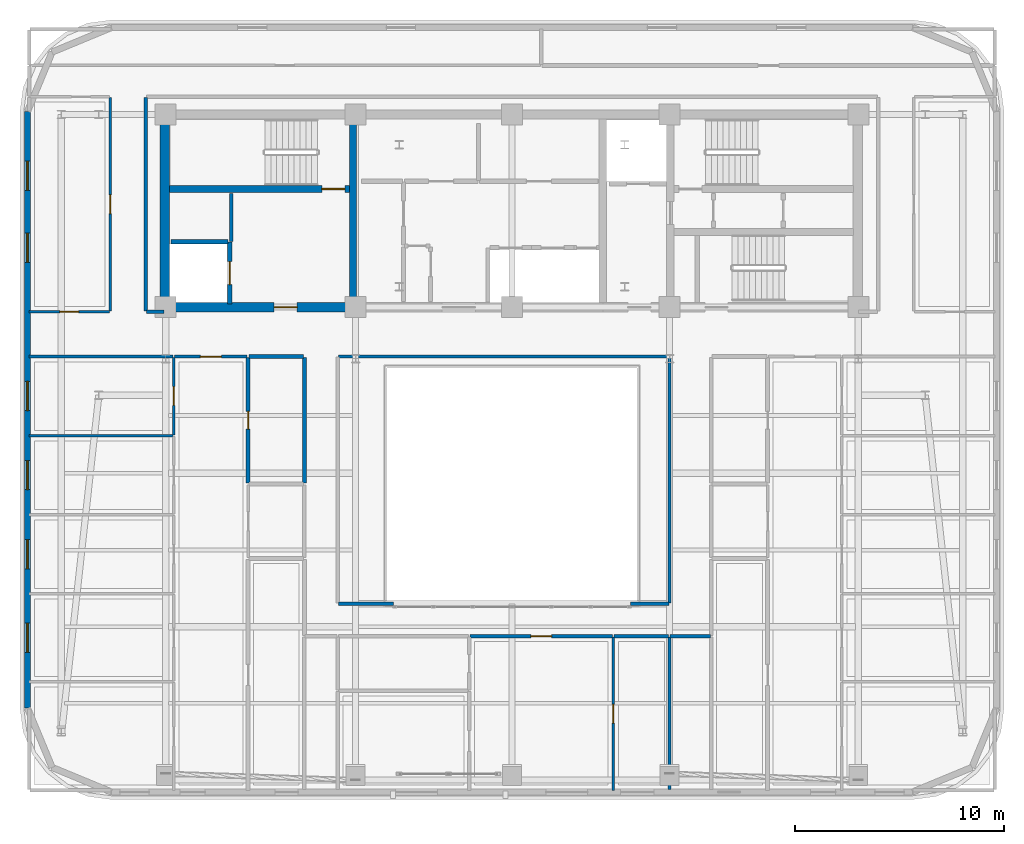
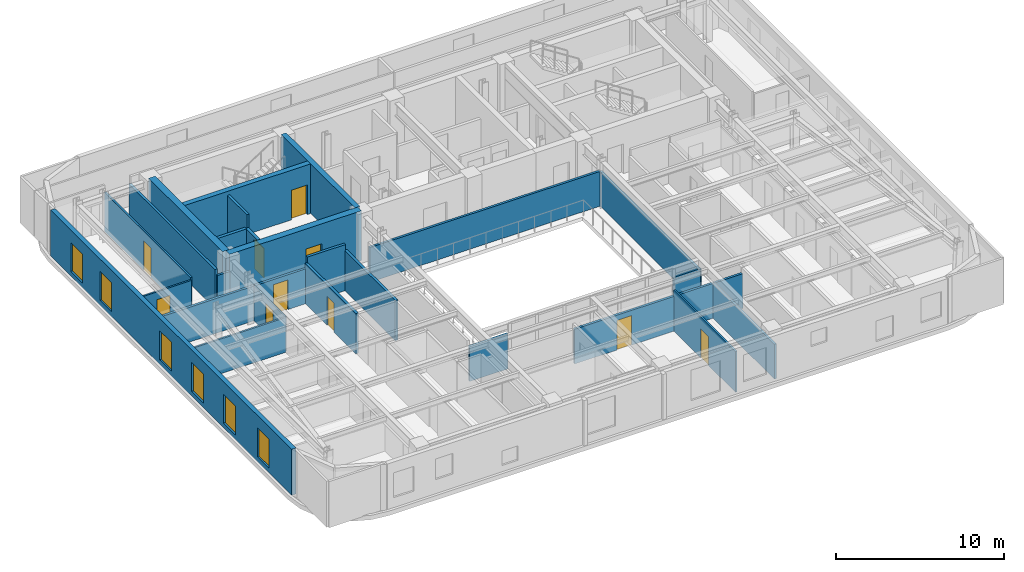
# One storey, part 7 of 14: 28 walls, 10 doors, 6 windows, 16 openings.
"""IFC4 building model written with IfcOpenShell, lengths in metres."""

from ifc_helpers import new_model, si_unit, direction, frame, frame_2d, origin, place, context, subcontext, project, spatial, rectangle, extrude, material, layer, layer_set, type_object, element, fill, save


model = new_model("IFC4")

# Units and contexts
model_context = context("Model", 3, precision=1e-05, world=origin(), true_north=direction((0.0, 1.0)))
body_context = subcontext(model_context, "Body", "Model", "MODEL_VIEW")
ifc_project = project(units=[si_unit("LENGTHUNIT", "METRE"), si_unit("AREAUNIT", "SQUARE_METRE"), si_unit("VOLUMEUNIT", "CUBIC_METRE"), si_unit("PLANEANGLEUNIT", "RADIAN"), si_unit("MASSUNIT", "GRAM", prefix="KILO")], contexts=[model_context])

# Site, building, storey
site_placement = place(None, origin())
site = spatial("IfcSite", under=ifc_project, at=site_placement, CompositionType="ELEMENT")
building_placement = place(site_placement, origin())
building = spatial("IfcBuilding", under=site, at=building_placement, Name="Zarnavel Station Tower", CompositionType="ELEMENT")
storey_placement = place(building_placement, frame((0.0, 0.0, 229.199951171875)))
storey = spatial("IfcBuildingStorey", under=building, at=storey_placement, Name="L62", CompositionType="ELEMENT", Elevation=229.199951171875)

# Wall
ifc_material_1 = material(Name="Concrete C50/60", Category="concrete")
ifc_layer_1 = layer(ifc_material_1, 0.35009765625)
ifc_layer_set_1 = layer_set([ifc_layer_1], Name="CW_350")
wall_type_1 = type_object("IfcWallType", Name="CW_350", PredefinedType="SHEAR", material=ifc_layer_set_1)
wall_1_placement = place(storey_placement, frame((21.179931640625, 28.044921875, 0.0), z_axis=(0.0, 0.0, 1.0), x_axis=(0.0, 1.0, 0.0)))
element("IfcWall", 1, at=wall_1_placement, inside=storey, type_object=wall_type_1, Name="L62 Rear Core Shear Wall DIV-W", PredefinedType="SHEAR", context=body_context, shape_type="SweptSolid", body=[
    extrude(rectangle(XDim=8.780029296875, YDim=0.35009765625, at=frame_2d((4.39013671875, 0.0))), origin(), (0.0, 0.0, 1.0), 3.60009765625),
])

# Wall, opening, door
wall_2_placement = place(storey_placement, frame((21.0048828125, 33.47998046875, 0.0), z_axis=(0.0, 0.0, 1.0), x_axis=(-1.0, 0.0, 0.0)))
wall_2 = element("IfcWall", 2, at=wall_2_placement, inside=storey, type_object=wall_type_1, Name="L62 Rear Core Shear Wall DIV-H1", PredefinedType="SHEAR", context=body_context, shape_type="SweptSolid", body=[
    extrude(rectangle(XDim=8.6298828125, YDim=0.35009765625, at=frame_2d((4.31494140625, 0.0))), origin(), (0.0, 0.0, 1.0), 3.60009765625),
])
opening_1_placement = place(wall_2_placement, frame((0.219970703125, 0.0, 0.0)))
opening_1 = element("IfcOpeningElement", 3, at=opening_1_placement, cuts=wall_2, Name="Opening FD01", PredefinedType="OPENING", context=body_context, shape_type="SweptSolid", body=[
    extrude(rectangle(XDim=1.10009765625, YDim=2.14990234375, at=frame_2d((0.550048828125, 1.074951171875))), frame((0.0, 0.18505859375, 0.0), z_axis=(0.0, -1.0, 0.0), x_axis=(1.0, 0.0, 0.0)), (0.0, 0.0, 1.0), 0.3701171875),
])
ifc_material_2 = material(Name="Painted Galvanised Steel and Hardwood Leaf", Category="steel")
door_type_1 = type_object("IfcDoorType", Name="ID_STAIR_1100", OperationType="NOTDEFINED", PredefinedType="DOOR", material=ifc_material_2)
door_1_placement = place(opening_1_placement, origin())
door_1 = element("IfcDoor", 4, at=door_1_placement, inside=storey, type_object=door_type_1, Name="L62 Stair ST1 Lobby Fire Door", OperationType="SINGLE_SWING_LEFT", OverallHeight=2.14990234375, OverallWidth=1.10009765625, PredefinedType="DOOR", context=body_context, shape_type="SweptSolid", body=[
    extrude(rectangle(XDim=1.10009765625, YDim=2.14990234375, at=frame_2d((0.550048828125, 1.074951171875))), frame((0.0, 0.02490234375, 0.0), z_axis=(0.0, -1.0, 0.0), x_axis=(1.0, 0.0, 0.0)), (0.0, 0.0, 1.0), 0.050048828125),
])
fill(opening_1, door_1)

ifc_material_3 = material(Name="Concrete C50/60", Category="concrete")
ifc_layer_2 = layer(ifc_material_3, 0.449951171875)
ifc_layer_set_2 = layer_set([ifc_layer_2], Name="CW_450")
wall_type_2 = type_object("IfcWallType", Name="CW_450", PredefinedType="SHEAR", material=ifc_layer_set_2)
wall_3_placement = place(storey_placement, frame((21.179931640625, 27.820068359375, 0.0), z_axis=(0.0, 0.0, 1.0), x_axis=(-1.0, 0.0, 0.0)))
wall_3 = element("IfcWall", 5, at=wall_3_placement, inside=storey, type_object=wall_type_2, Name="L62 Rear Core Shear Wall S-W", PredefinedType="SHEAR", context=body_context, shape_type="SweptSolid", body=[
    extrude(rectangle(XDim=9.030029296875, YDim=0.449951171875, at=frame_2d((4.51513671875, 0.0))), origin(), (0.0, 0.0, 1.0), 3.60009765625),
])
opening_2_placement = place(wall_3_placement, frame((2.679931640625, 0.0, 0.0)))
opening_2 = element("IfcOpeningElement", 6, at=opening_2_placement, cuts=wall_3, Name="Opening FD01", PredefinedType="OPENING", context=body_context, shape_type="SweptSolid", body=[
    extrude(rectangle(XDim=1.10009765625, YDim=2.14990234375, at=frame_2d((0.550048828125, 1.074951171875))), frame((0.0, 0.23486328125, 0.0), z_axis=(0.0, -1.0, 0.0), x_axis=(1.0, 0.0, 0.0)), (0.0, 0.0, 1.0), 0.469970703125),
])
door_2_placement = place(opening_2_placement, origin())
door_2 = element("IfcDoor", 7, at=door_2_placement, inside=storey, type_object=door_type_1, Name="L62 West Firefighting Lobby Door", OperationType="SINGLE_SWING_RIGHT", OverallHeight=2.14990234375, OverallWidth=1.10009765625, PredefinedType="DOOR", context=body_context, shape_type="SweptSolid", body=[
    extrude(rectangle(XDim=1.10009765625, YDim=2.14990234375, at=frame_2d((0.550048828125, 1.074951171875))), frame((0.0, 0.02490234375, 0.0), z_axis=(0.0, -1.0, 0.0), x_axis=(1.0, 0.0, 0.0)), (0.0, 0.0, 1.0), 0.050048828125),
])
fill(opening_2, door_2)

# Wall
wall_4_placement = place(storey_placement, frame((12.14990234375, 28.044921875, 0.0), z_axis=(0.0, 0.0, 1.0), x_axis=(0.0, 1.0, 0.0)))
element("IfcWall", 8, at=wall_4_placement, inside=storey, type_object=wall_type_2, Name="L62 Rear Core Shear Wall W", PredefinedType="SHEAR", context=body_context, shape_type="SweptSolid", body=[
    extrude(rectangle(XDim=8.780029296875, YDim=0.449951171875, at=frame_2d((4.39013671875, 0.0))), origin(), (0.0, 0.0, 1.0), 3.60009765625),
])

# Wall, openings, windows
ifc_material_4 = material(Name="Precast concrete C45/55 (Dark Basalt Finish)", Category="masonry")
ifc_layer_3 = layer(ifc_material_4, 0.300048828125)
ifc_layer_set_3 = layer_set([ifc_layer_3], Name="EW_BASALT_300")
wall_type_3 = type_object("IfcWallType", Name="EW_BASALT_300", PredefinedType="SOLIDWALL", material=ifc_layer_set_3)
wall_5_placement = place(storey_placement, frame((5.580078125, 8.60009765625, 0.0), z_axis=(0.0, 0.0, 1.0), x_axis=(0.0, 1.0, 0.0)))
wall_5 = element("IfcWall", 9, at=wall_5_placement, inside=storey, type_object=wall_type_3, Name="L62 Exterior Basalt Masonry Frame Wall 09", PredefinedType="SOLIDWALL", context=body_context, shape_type="SweptSolid", body=[
    extrude(rectangle(XDim=28.599853515625, YDim=0.300048828125, at=frame_2d((14.2998046875, 0.0))), origin(), (0.0, 0.0, 1.0), 3.340087890625),
])
opening_3_placement = place(wall_5_placement, frame((21.360107421875, 0.0, 0.340087890625)))
opening_3 = element("IfcOpeningElement", 10, at=opening_3_placement, cuts=wall_5, Name="Opening WN04", PredefinedType="OPENING", context=body_context, shape_type="SweptSolid", body=[
    extrude(rectangle(XDim=1.39990234375, YDim=2.10009765625, at=frame_2d((0.699951171875, 1.050048828125))), frame((0.0, 0.159912109375, 0.0), z_axis=(0.0, -1.0, 0.0), x_axis=(1.0, 0.0, 0.0)), (0.0, 0.0, 1.0), 0.320068359375),
])
opening_4_placement = place(wall_5_placement, frame((24.820068359375, 0.0, 0.340087890625)))
opening_4 = element("IfcOpeningElement", 11, at=opening_4_placement, cuts=wall_5, Name="Opening WN04", PredefinedType="OPENING", context=body_context, shape_type="SweptSolid", body=[
    extrude(rectangle(XDim=1.39990234375, YDim=2.10009765625, at=frame_2d((0.699951171875, 1.050048828125))), frame((0.0, 0.159912109375, 0.0), z_axis=(0.0, -1.0, 0.0), x_axis=(1.0, 0.0, 0.0)), (0.0, 0.0, 1.0), 0.320068359375),
])
opening_5_placement = place(wall_5_placement, frame((2.6708984375, 0.0, 0.340087890625)))
opening_5 = element("IfcOpeningElement", 12, at=opening_5_placement, cuts=wall_5, Name="Opening WN04", PredefinedType="OPENING", context=body_context, shape_type="SweptSolid", body=[
    extrude(rectangle(XDim=1.39990234375, YDim=2.10009765625, at=frame_2d((0.699951171875, 1.050048828125))), frame((0.0, 0.159912109375, 0.0), z_axis=(0.0, -1.0, 0.0), x_axis=(1.0, 0.0, 0.0)), (0.0, 0.0, 1.0), 0.320068359375),
])
opening_6_placement = place(wall_5_placement, frame((6.678955078125, 0.0, 0.340087890625)))
opening_6 = element("IfcOpeningElement", 13, at=opening_6_placement, cuts=wall_5, Name="Opening WN04", PredefinedType="OPENING", context=body_context, shape_type="SweptSolid", body=[
    extrude(rectangle(XDim=1.39990234375, YDim=2.10009765625, at=frame_2d((0.699951171875, 1.050048828125))), frame((0.0, 0.159912109375, 0.0), z_axis=(0.0, -1.0, 0.0), x_axis=(1.0, 0.0, 0.0)), (0.0, 0.0, 1.0), 0.320068359375),
])
opening_7_placement = place(wall_5_placement, frame((10.467041015625, 0.0, 0.340087890625)))
opening_7 = element("IfcOpeningElement", 14, at=opening_7_placement, cuts=wall_5, Name="Opening WN04", PredefinedType="OPENING", context=body_context, shape_type="SweptSolid", body=[
    extrude(rectangle(XDim=1.39990234375, YDim=2.10009765625, at=frame_2d((0.699951171875, 1.050048828125))), frame((0.0, 0.159912109375, 0.0), z_axis=(0.0, -1.0, 0.0), x_axis=(1.0, 0.0, 0.0)), (0.0, 0.0, 1.0), 0.320068359375),
])
opening_8_placement = place(wall_5_placement, frame((14.255615234375, 0.0, 0.340087890625)))
opening_8 = element("IfcOpeningElement", 15, at=opening_8_placement, cuts=wall_5, Name="Opening WN04", PredefinedType="OPENING", context=body_context, shape_type="SweptSolid", body=[
    extrude(rectangle(XDim=1.39990234375, YDim=2.10009765625, at=frame_2d((0.699951171875, 1.050048828125))), frame((0.0, 0.159912109375, 0.0), z_axis=(0.0, -1.0, 0.0), x_axis=(1.0, 0.0, 0.0)), (0.0, 0.0, 1.0), 0.320068359375),
])
ifc_material_5 = material(Name="Thermally Broken Black Aluminium and Low-E Dark Glass", Category="aluminium")
window_type = type_object("IfcWindowType", Name="WN_1400x2100", PartitioningType="DOUBLE_PANEL_VERTICAL", PredefinedType="WINDOW", material=ifc_material_5)
window_1_placement = place(opening_3_placement, origin())
window_1 = element("IfcWindow", 16, at=window_1_placement, inside=storey, type_object=window_type, Name="L62 Recessed Facade Window 01", OverallHeight=2.10009765625, OverallWidth=1.39990234375, PartitioningType="SINGLE_PANEL", PredefinedType="WINDOW", context=body_context, shape_type="SweptSolid", body=[
    extrude(rectangle(XDim=1.39990234375, YDim=2.10009765625, at=frame_2d((0.699951171875, 1.050048828125))), frame((0.0, 0.030029296875, 0.0), z_axis=(0.0, -1.0, 0.0), x_axis=(1.0, 0.0, 0.0)), (0.0, 0.0, 1.0), 0.06005859375),
])
fill(opening_3, window_1)
window_2_placement = place(opening_4_placement, origin())
window_2 = element("IfcWindow", 17, at=window_2_placement, inside=storey, type_object=window_type, Name="L62 Recessed Facade Window 02", OverallHeight=2.10009765625, OverallWidth=1.39990234375, PartitioningType="SINGLE_PANEL", PredefinedType="WINDOW", context=body_context, shape_type="SweptSolid", body=[
    extrude(rectangle(XDim=1.39990234375, YDim=2.10009765625, at=frame_2d((0.699951171875, 1.050048828125))), frame((0.0, 0.030029296875, 0.0), z_axis=(0.0, -1.0, 0.0), x_axis=(1.0, 0.0, 0.0)), (0.0, 0.0, 1.0), 0.06005859375),
])
fill(opening_4, window_2)
window_3_placement = place(opening_5_placement, origin())
window_3 = element("IfcWindow", 18, at=window_3_placement, inside=storey, type_object=window_type, Name="L62 Recessed Facade Window 03", OverallHeight=2.10009765625, OverallWidth=1.39990234375, PartitioningType="SINGLE_PANEL", PredefinedType="WINDOW", context=body_context, shape_type="SweptSolid", body=[
    extrude(rectangle(XDim=1.39990234375, YDim=2.10009765625, at=frame_2d((0.699951171875, 1.050048828125))), frame((0.0, 0.030029296875, 0.0), z_axis=(0.0, -1.0, 0.0), x_axis=(1.0, 0.0, 0.0)), (0.0, 0.0, 1.0), 0.06005859375),
])
fill(opening_5, window_3)
window_4_placement = place(opening_6_placement, origin())
window_4 = element("IfcWindow", 19, at=window_4_placement, inside=storey, type_object=window_type, Name="L62 Recessed Facade Window 04", OverallHeight=2.10009765625, OverallWidth=1.39990234375, PartitioningType="SINGLE_PANEL", PredefinedType="WINDOW", context=body_context, shape_type="SweptSolid", body=[
    extrude(rectangle(XDim=1.39990234375, YDim=2.10009765625, at=frame_2d((0.699951171875, 1.050048828125))), frame((0.0, 0.030029296875, 0.0), z_axis=(0.0, -1.0, 0.0), x_axis=(1.0, 0.0, 0.0)), (0.0, 0.0, 1.0), 0.06005859375),
])
fill(opening_6, window_4)
window_5_placement = place(opening_7_placement, origin())
window_5 = element("IfcWindow", 20, at=window_5_placement, inside=storey, type_object=window_type, Name="L62 Recessed Facade Window 05", OverallHeight=2.10009765625, OverallWidth=1.39990234375, PartitioningType="SINGLE_PANEL", PredefinedType="WINDOW", context=body_context, shape_type="SweptSolid", body=[
    extrude(rectangle(XDim=1.39990234375, YDim=2.10009765625, at=frame_2d((0.699951171875, 1.050048828125))), frame((0.0, 0.030029296875, 0.0), z_axis=(0.0, -1.0, 0.0), x_axis=(1.0, 0.0, 0.0)), (0.0, 0.0, 1.0), 0.06005859375),
])
fill(opening_7, window_5)
window_6_placement = place(opening_8_placement, origin())
window_6 = element("IfcWindow", 21, at=window_6_placement, inside=storey, type_object=window_type, Name="L62 Recessed Facade Window 06", OverallHeight=2.10009765625, OverallWidth=1.39990234375, PartitioningType="SINGLE_PANEL", PredefinedType="WINDOW", context=body_context, shape_type="SweptSolid", body=[
    extrude(rectangle(XDim=1.39990234375, YDim=2.10009765625, at=frame_2d((0.699951171875, 1.050048828125))), frame((0.0, 0.030029296875, 0.0), z_axis=(0.0, -1.0, 0.0), x_axis=(1.0, 0.0, 0.0)), (0.0, 0.0, 1.0), 0.06005859375),
])
fill(opening_8, window_6)

# Wall, opening, door
ifc_material_6 = material(Name="Gypsum Twin-Stud Acoustic Fire Partition", Category="concrete")
ifc_layer_4 = layer(ifc_material_6, 0.159912109375)
ifc_layer_set_4 = layer_set([ifc_layer_4], Name="PT_DEMISE_160")
wall_type_4 = type_object("IfcWallType", Name="PT_DEMISE_160", PredefinedType="PARTITIONING", material=ifc_layer_set_4)
wall_6_placement = place(storey_placement, frame((12.631103515625, 25.449951171875, 0.0), z_axis=(0.0, 0.0, 1.0), x_axis=(1.0, 0.0, 0.0)))
wall_6 = element("IfcWall", 22, at=wall_6_placement, inside=storey, type_object=wall_type_4, Name="L62 Partition COR-S-UW1LV", PredefinedType="PARTITIONING", context=body_context, shape_type="SweptSolid", body=[
    extrude(rectangle(XDim=3.47900390625, YDim=0.159912109375, at=frame_2d((1.739501953125, 0.0))), origin(), (0.0, 0.0, 1.0), 2.52001953125),
])
opening_9_placement = place(wall_6_placement, frame((1.239501953125, 0.0, 0.0)))
opening_9 = element("IfcOpeningElement", 23, at=opening_9_placement, cuts=wall_6, Name="Opening FD02", PredefinedType="OPENING", context=body_context, shape_type="SweptSolid", body=[
    extrude(rectangle(XDim=1.0, YDim=2.14990234375, at=frame_2d((0.5, 1.074951171875))), frame((0.0, 0.08984375, 0.0), z_axis=(0.0, -1.0, 0.0), x_axis=(1.0, 0.0, 0.0)), (0.0, 0.0, 1.0), 0.179931640625),
])
ifc_material_7 = material(Name="Painted Galvanised Steel and Hardwood Leaf", Category="steel")
door_type_2 = type_object("IfcDoorType", Name="ID_ENTRY_1000", OperationType="NOTDEFINED", PredefinedType="DOOR", material=ifc_material_7)
door_3_placement = place(opening_9_placement, origin())
door_3 = element("IfcDoor", 24, at=door_3_placement, inside=storey, type_object=door_type_2, Name="L62 Door COR-S-UW1LV", OperationType="SINGLE_SWING_LEFT", OverallHeight=2.14990234375, OverallWidth=1.0, PredefinedType="DOOR", context=body_context, shape_type="SweptSolid", body=[
    extrude(rectangle(XDim=1.0, YDim=2.14990234375, at=frame_2d((0.5, 1.074951171875))), frame((0.0, 0.02490234375, 0.0), z_axis=(0.0, -1.0, 0.0), x_axis=(1.0, 0.0, 0.0)), (0.0, 0.0, 1.0), 0.050048828125),
])
fill(opening_9, door_3)

# Wall
wall_7_placement = place(storey_placement, frame((5.659912109375, 25.449951171875, 0.0), z_axis=(0.0, 0.0, 1.0), x_axis=(1.0, 0.0, 0.0)))
element("IfcWall", 25, at=wall_7_placement, inside=storey, type_object=wall_type_4, Name="L62 Partition COR-S-UW1B5", PredefinedType="PARTITIONING", context=body_context, shape_type="SweptSolid", body=[
    extrude(rectangle(XDim=6.89111328125, YDim=0.159912109375, at=frame_2d((3.445556640625, 0.0))), origin(), (0.0, 0.0, 1.0), 2.52001953125),
])

# Wall, opening, door
wall_8_placement = place(storey_placement, frame((26.7900390625, 12.050048828125, 0.0), z_axis=(0.0, 0.0, 1.0), x_axis=(1.0, 0.0, 0.0)))
wall_8 = element("IfcWall", 26, at=wall_8_placement, inside=storey, type_object=wall_type_4, Name="L62 Partition COR-AS-US1LV", PredefinedType="PARTITIONING", context=body_context, shape_type="SweptSolid", body=[
    extrude(rectangle(XDim=6.820068359375, YDim=0.159912109375, at=frame_2d((3.41015625, 0.0))), origin(), (0.0, 0.0, 1.0), 2.52001953125),
])
opening_10_placement = place(wall_8_placement, frame((2.909912109375, 0.0, 0.0)))
opening_10 = element("IfcOpeningElement", 27, at=opening_10_placement, cuts=wall_8, Name="Opening FD02", PredefinedType="OPENING", context=body_context, shape_type="SweptSolid", body=[
    extrude(rectangle(XDim=1.0, YDim=2.14990234375, at=frame_2d((0.5, 1.074951171875))), frame((0.0, 0.08984375, 0.0), z_axis=(0.0, -1.0, 0.0), x_axis=(1.0, 0.0, 0.0)), (0.0, 0.0, 1.0), 0.179931640625),
])
door_4_placement = place(opening_10_placement, origin())
door_4 = element("IfcDoor", 28, at=door_4_placement, inside=storey, type_object=door_type_2, Name="L62 Door COR-AS-US1LV", OperationType="SINGLE_SWING_LEFT", OverallHeight=2.14990234375, OverallWidth=1.0, PredefinedType="DOOR", context=body_context, shape_type="SweptSolid", body=[
    extrude(rectangle(XDim=1.0, YDim=2.14990234375, at=frame_2d((0.5, 1.074951171875))), frame((0.0, 0.02490234375, 0.0), z_axis=(0.0, -1.0, 0.0), x_axis=(1.0, 0.0, 0.0)), (0.0, 0.0, 1.0), 0.050048828125),
])
fill(opening_10, door_4)

# Walls
wall_9_placement = place(storey_placement, frame((33.68994140625, 12.050048828125, 0.0), z_axis=(0.0, 0.0, 1.0), x_axis=(1.0, 0.0, 0.0)))
element("IfcWall", 29, at=wall_9_placement, inside=storey, type_object=wall_type_4, Name="L62 Partition COR-AS-US1B1", PredefinedType="PARTITIONING", context=body_context, shape_type="SweptSolid", body=[
    extrude(rectangle(XDim=2.6201171875, YDim=0.159912109375, at=frame_2d((1.31005859375, 0.0))), origin(), (0.0, 0.0, 1.0), 2.52001953125),
])
wall_10_placement = place(storey_placement, frame((15.35009765625, 30.9599609375, 0.0), z_axis=(0.0, 0.0, 1.0), x_axis=(0.0, 1.0, 0.0)))
element("IfcWall", 30, at=wall_10_placement, inside=storey, type_object=wall_type_4, Name="L62 Enclosure Wall FFL1", PredefinedType="PARTITIONING", context=body_context, shape_type="SweptSolid", body=[
    extrude(rectangle(XDim=2.31005859375, YDim=0.159912109375, at=frame_2d((1.155029296875, 0.0))), origin(), (0.0, 0.0, 1.0), 3.340087890625),
])
wall_11_placement = place(storey_placement, frame((20.47998046875, 25.449951171875, 0.0), z_axis=(0.0, 0.0, 1.0), x_axis=(1.0, 0.0, 0.0)))
element("IfcWall", 31, at=wall_11_placement, inside=storey, type_object=wall_type_4, Name="L62 Enclosure Wall COR-S", PredefinedType="PARTITIONING", context=body_context, shape_type="SweptSolid", body=[
    extrude(rectangle(XDim=15.840087890625, YDim=0.159912109375, at=frame_2d((7.919921875, 0.0))), origin(), (0.0, 0.0, 1.0), 2.52001953125),
])
wall_12_placement = place(storey_placement, frame((11.280029296875, 27.60009765625, 0.0), z_axis=(0.0, 0.0, 1.0), x_axis=(1.0, 0.0, 0.0)))
element("IfcWall", 32, at=wall_12_placement, inside=storey, type_object=wall_type_4, Name="L62 Enclosure Wall COR-S", PredefinedType="PARTITIONING", context=body_context, shape_type="SweptSolid", body=[
    extrude(rectangle(XDim=0.840087890625, YDim=0.159912109375, at=frame_2d((0.419921875, 0.0))), origin(), (0.0, 0.0, 1.0), 2.41015625),
])
wall_13_placement = place(storey_placement, frame((36.3798828125, 12.050048828125, 0.0), z_axis=(0.0, 0.0, 1.0), x_axis=(1.0, 0.0, 0.0)))
element("IfcWall", 33, at=wall_13_placement, inside=storey, type_object=wall_type_4, Name="L62 Enclosure Wall COR-AE", PredefinedType="PARTITIONING", context=body_context, shape_type="SweptSolid", body=[
    extrude(rectangle(XDim=1.940185546875, YDim=0.159912109375, at=frame_2d((0.97021484375, 0.0))), origin(), (0.0, 0.0, 1.0), 2.52001953125),
])
wall_14_placement = place(storey_placement, frame((36.35009765625, 13.6298828125, 0.0), z_axis=(0.0, 0.0, 1.0), x_axis=(0.0, 1.0, 0.0)))
element("IfcWall", 34, at=wall_14_placement, inside=storey, type_object=wall_type_4, Name="L62 Enclosure Wall COR-AE", PredefinedType="PARTITIONING", context=body_context, shape_type="SweptSolid", body=[
    extrude(rectangle(XDim=11.7900390625, YDim=0.159912109375, at=frame_2d((5.89501953125, 0.0))), origin(), (0.0, 0.0, 1.0), 2.52001953125),
])
wall_15_placement = place(storey_placement, frame((20.47998046875, 13.60009765625, 0.0), z_axis=(0.0, 0.0, 1.0), x_axis=(1.0, 0.0, 0.0)))
element("IfcWall", 35, at=wall_15_placement, inside=storey, type_object=wall_type_4, Name="L62 Enclosure Wall COR-AS", PredefinedType="PARTITIONING", context=body_context, shape_type="SweptSolid", body=[
    extrude(rectangle(XDim=2.64013671875, YDim=0.159912109375, at=frame_2d((1.320068359375, 0.0))), origin(), (0.0, 0.0, 1.0), 2.52001953125),
])
wall_16_placement = place(storey_placement, frame((34.47998046875, 13.60009765625, 0.0), z_axis=(0.0, 0.0, 1.0), x_axis=(1.0, 0.0, 0.0)))
element("IfcWall", 36, at=wall_16_placement, inside=storey, type_object=wall_type_4, Name="L62 Enclosure Wall COR-AS", PredefinedType="PARTITIONING", context=body_context, shape_type="SweptSolid", body=[
    extrude(rectangle(XDim=1.840087890625, YDim=0.159912109375, at=frame_2d((0.919921875, 0.0))), origin(), (0.0, 0.0, 1.0), 2.52001953125),
])
wall_17_placement = place(storey_placement, frame((11.25, 27.6298828125, 0.0), z_axis=(0.0, 0.0, 1.0), x_axis=(0.0, 1.0, 0.0)))
element("IfcWall", 37, at=wall_17_placement, inside=storey, type_object=wall_type_4, Name="L62 Enclosure Wall COR-W", PredefinedType="PARTITIONING", context=body_context, shape_type="SweptSolid", body=[
    extrude(rectangle(XDim=10.240234375, YDim=0.159912109375, at=frame_2d((5.1201171875, 0.0))), origin(), (0.0, 0.0, 1.0), 2.820068359375),
])
wall_18_placement = place(storey_placement, frame((36.35009765625, 4.68994140625, 0.0), z_axis=(0.0, 0.0, 1.0), x_axis=(0.0, 1.0, 0.0)))
element("IfcWall", 38, at=wall_18_placement, inside=storey, type_object=wall_type_4, Name="L62 Enclosure Wall US1B1", PredefinedType="PARTITIONING", context=body_context, shape_type="SweptSolid", body=[
    extrude(rectangle(XDim=7.330078125, YDim=0.159912109375, at=frame_2d((3.6650390625, 0.0))), origin(), (0.0, 0.0, 1.0), 2.52001953125),
])

# Wall, opening, door
ifc_material_8 = material(Name="Gypsum Metal-Stud Interior Partition", Category="concrete")
ifc_layer_5 = layer(ifc_material_8, 0.1201171875)
ifc_layer_set_5 = layer_set([ifc_layer_5], Name="PT_ROOM_120")
wall_type_5 = type_object("IfcWallType", Name="PT_ROOM_120", PredefinedType="PARTITIONING", material=ifc_layer_set_5)
wall_19_placement = place(storey_placement, frame((5.659912109375, 27.60009765625, 0.0), z_axis=(0.0, 0.0, 1.0), x_axis=(1.0, 0.0, 0.0)))
wall_19 = element("IfcWall", 39, at=wall_19_placement, inside=storey, type_object=wall_type_5, Name="L62 Partition COR-S-FNW", PredefinedType="PARTITIONING", context=body_context, shape_type="SweptSolid", body=[
    extrude(rectangle(XDim=3.85009765625, YDim=0.1201171875, at=frame_2d((1.925048828125, 0.0))), origin(), (0.0, 0.0, 1.0), 2.670166015625),
])
opening_11_placement = place(wall_19_placement, frame((1.47509765625, 0.0, 0.0)))
opening_11 = element("IfcOpeningElement", 40, at=opening_11_placement, cuts=wall_19, Name="Opening ID01", PredefinedType="OPENING", context=body_context, shape_type="SweptSolid", body=[
    extrude(rectangle(XDim=0.89990234375, YDim=2.10009765625, at=frame_2d((0.449951171875, 1.050048828125))), frame((0.0, 0.070068359375, 0.0), z_axis=(0.0, -1.0, 0.0), x_axis=(1.0, 0.0, 0.0)), (0.0, 0.0, 1.0), 0.14013671875),
])
ifc_material_9 = material(Name="Painted Galvanised Steel and Hardwood Leaf", Category="steel")
door_type_3 = type_object("IfcDoorType", Name="ID_ROOM_900", OperationType="NOTDEFINED", PredefinedType="DOOR", material=ifc_material_9)
door_5_placement = place(opening_11_placement, origin())
door_5 = element("IfcDoor", 41, at=door_5_placement, inside=storey, type_object=door_type_3, Name="L62 Door COR-S-FNW", OperationType="SINGLE_SWING_LEFT", OverallHeight=2.10009765625, OverallWidth=0.89990234375, PredefinedType="DOOR", context=body_context, shape_type="SweptSolid", body=[
    extrude(rectangle(XDim=0.89990234375, YDim=2.10009765625, at=frame_2d((0.449951171875, 1.050048828125))), frame((0.0, 0.02490234375, 0.0), z_axis=(0.0, -1.0, 0.0), x_axis=(1.0, 0.0, 0.0)), (0.0, 0.0, 1.0), 0.050048828125),
])
fill(opening_11, door_5)

wall_20_placement = place(storey_placement, frame((9.550048828125, 27.639892578125, 0.0), z_axis=(0.0, 0.0, 1.0), x_axis=(0.0, 1.0, 0.0)))
wall_20 = element("IfcWall", 42, at=wall_20_placement, inside=storey, type_object=wall_type_5, Name="L62 Partition COR-W-FNW", PredefinedType="PARTITIONING", context=body_context, shape_type="SweptSolid", body=[
    extrude(rectangle(XDim=10.22021484375, YDim=0.1201171875, at=frame_2d((5.110107421875, 0.0))), origin(), (0.0, 0.0, 1.0), 2.820068359375),
])
opening_12_placement = place(wall_20_placement, frame((4.659912109375, 0.0, 0.0)))
opening_12 = element("IfcOpeningElement", 43, at=opening_12_placement, cuts=wall_20, Name="Opening ID01", PredefinedType="OPENING", context=body_context, shape_type="SweptSolid", body=[
    extrude(rectangle(XDim=0.89990234375, YDim=2.10009765625, at=frame_2d((0.449951171875, 1.050048828125))), frame((0.0, 0.070068359375, 0.0), z_axis=(0.0, -1.0, 0.0), x_axis=(1.0, 0.0, 0.0)), (0.0, 0.0, 1.0), 0.14013671875),
])
door_6_placement = place(opening_12_placement, origin())
door_6 = element("IfcDoor", 44, at=door_6_placement, inside=storey, type_object=door_type_3, Name="L62 Door COR-W-FNW", OperationType="SINGLE_SWING_RIGHT", OverallHeight=2.10009765625, OverallWidth=0.89990234375, PredefinedType="DOOR", context=body_context, shape_type="SweptSolid", body=[
    extrude(rectangle(XDim=0.89990234375, YDim=2.10009765625, at=frame_2d((0.449951171875, 1.050048828125))), frame((0.0, 0.02490234375, 0.0), z_axis=(0.0, -1.0, 0.0), x_axis=(1.0, 0.0, 0.0)), (0.0, 0.0, 1.0), 0.050048828125),
])
fill(opening_12, door_6)

wall_21_placement = place(storey_placement, frame((12.591064453125, 21.700927734375, 0.0), z_axis=(0.0, 0.0, 1.0), x_axis=(0.0, 1.0, 0.0)))
wall_21 = element("IfcWall", 45, at=wall_21_placement, inside=storey, type_object=wall_type_5, Name="L62 Partition UW1LV-UW1B5", PredefinedType="PARTITIONING", context=body_context, shape_type="SweptSolid", body=[
    extrude(rectangle(XDim=3.708984375, YDim=0.1201171875, at=frame_2d((1.8544921875, 0.0))), origin(), (0.0, 0.0, 1.0), 2.52001953125),
])
opening_13_placement = place(wall_21_placement, frame((1.404541015625, 0.0, 0.0)))
opening_13 = element("IfcOpeningElement", 46, at=opening_13_placement, cuts=wall_21, Name="Opening ID01", PredefinedType="OPENING", context=body_context, shape_type="SweptSolid", body=[
    extrude(rectangle(XDim=0.89990234375, YDim=2.10009765625, at=frame_2d((0.449951171875, 1.050048828125))), frame((0.0, 0.070068359375, 0.0), z_axis=(0.0, -1.0, 0.0), x_axis=(1.0, 0.0, 0.0)), (0.0, 0.0, 1.0), 0.14013671875),
])
door_7_placement = place(opening_13_placement, origin())
door_7 = element("IfcDoor", 47, at=door_7_placement, inside=storey, type_object=door_type_3, Name="L62 Door UW1LV-UW1B5", OperationType="SINGLE_SWING_LEFT", OverallHeight=2.10009765625, OverallWidth=0.89990234375, PredefinedType="DOOR", context=body_context, shape_type="SweptSolid", body=[
    extrude(rectangle(XDim=0.89990234375, YDim=2.10009765625, at=frame_2d((0.449951171875, 1.050048828125))), frame((0.0, 0.02490234375, 0.0), z_axis=(0.0, -1.0, 0.0), x_axis=(1.0, 0.0, 0.0)), (0.0, 0.0, 1.0), 0.050048828125),
])
fill(opening_13, door_7)

# Wall
wall_22_placement = place(storey_placement, frame((5.659912109375, 21.660888671875, 0.0), z_axis=(0.0, 0.0, 1.0), x_axis=(1.0, 0.0, 0.0)))
element("IfcWall", 48, at=wall_22_placement, inside=storey, type_object=wall_type_5, Name="L62 Partition UW1B4-UW1B5", PredefinedType="PARTITIONING", context=body_context, shape_type="SweptSolid", body=[
    extrude(rectangle(XDim=6.89111328125, YDim=0.1201171875, at=frame_2d((3.445556640625, 0.0))), origin(), (0.0, 0.0, 1.0), 2.52001953125),
])

# Wall, opening, door
wall_23_placement = place(storey_placement, frame((33.64990234375, 4.659912109375, 0.0), z_axis=(0.0, 0.0, 1.0), x_axis=(0.0, 1.0, 0.0)))
wall_23 = element("IfcWall", 49, at=wall_23_placement, inside=storey, type_object=wall_type_5, Name="L62 Partition US1LV-US1B1", PredefinedType="PARTITIONING", context=body_context, shape_type="SweptSolid", body=[
    extrude(rectangle(XDim=7.35009765625, YDim=0.1201171875, at=frame_2d((3.675048828125, 0.0))), origin(), (0.0, 0.0, 1.0), 2.9599609375),
])
opening_14_placement = place(wall_23_placement, frame((3.22509765625, 0.0, 0.0)))
opening_14 = element("IfcOpeningElement", 50, at=opening_14_placement, cuts=wall_23, Name="Opening ID01", PredefinedType="OPENING", context=body_context, shape_type="SweptSolid", body=[
    extrude(rectangle(XDim=0.89990234375, YDim=2.10009765625, at=frame_2d((0.449951171875, 1.050048828125))), frame((0.0, 0.070068359375, 0.0), z_axis=(0.0, -1.0, 0.0), x_axis=(1.0, 0.0, 0.0)), (0.0, 0.0, 1.0), 0.14013671875),
])
door_8_placement = place(opening_14_placement, origin())
door_8 = element("IfcDoor", 51, at=door_8_placement, inside=storey, type_object=door_type_3, Name="L62 Door US1LV-US1B1", OperationType="SINGLE_SWING_RIGHT", OverallHeight=2.10009765625, OverallWidth=0.89990234375, PredefinedType="DOOR", context=body_context, shape_type="SweptSolid", body=[
    extrude(rectangle(XDim=0.89990234375, YDim=2.10009765625, at=frame_2d((0.449951171875, 1.050048828125))), frame((0.0, 0.02490234375, 0.0), z_axis=(0.0, -1.0, 0.0), x_axis=(1.0, 0.0, 0.0)), (0.0, 0.0, 1.0), 0.050048828125),
])
fill(opening_14, door_8)

ifc_material_10 = material(Name="Precast concrete C45/55 (Fire Shaft Blockwork)", Category="masonry")
ifc_layer_6 = layer(ifc_material_10, 0.199951171875)
ifc_layer_set_6 = layer_set([ifc_layer_6], Name="PT_SHAFT_200")
wall_type_6 = type_object("IfcWallType", Name="PT_SHAFT_200", PredefinedType="PARTITIONING", material=ifc_layer_set_6)
wall_24_placement = place(storey_placement, frame((15.27001953125, 27.969970703125, 0.0), z_axis=(0.0, 0.0, 1.0), x_axis=(0.0, 1.0, 0.0)))
wall_24 = element("IfcWall", 52, at=wall_24_placement, inside=storey, type_object=wall_type_6, Name="L62 Lift FFL-01 Shaft Front Wall", PredefinedType="PARTITIONING", context=body_context, shape_type="SweptSolid", body=[
    extrude(rectangle(XDim=2.9599609375, YDim=0.199951171875, at=frame_2d((1.47998046875, 0.0))), origin(), (0.0, 0.0, 1.0), 2.41015625),
])
opening_15_placement = place(wall_24_placement, frame((0.929931640625, 0.0, 0.0)))
opening_15 = element("IfcOpeningElement", 53, at=opening_15_placement, cuts=wall_24, Name="Opening LD01", PredefinedType="OPENING", context=body_context, shape_type="SweptSolid", body=[
    extrude(rectangle(XDim=1.10009765625, YDim=2.14990234375, at=frame_2d((0.550048828125, 1.074951171875))), frame((0.0, 0.10986328125, 0.0), z_axis=(0.0, -1.0, 0.0), x_axis=(1.0, 0.0, 0.0)), (0.0, 0.0, 1.0), 0.219970703125),
])
ifc_material_11 = material(Name="Painted Galvanised Steel and Hardwood Leaf", Category="steel")
door_type_4 = type_object("IfcDoorType", Name="LD_FF_1100", OperationType="DOUBLE_DOOR_SLIDING", PredefinedType="DOOR", material=ifc_material_11)
door_9_placement = place(opening_15_placement, origin())
door_9 = element("IfcDoor", 54, at=door_9_placement, inside=storey, type_object=door_type_4, Name="L62 Lift FFL-01 Sliding Landing Door", OperationType="DOUBLE_DOOR_SLIDING", OverallHeight=2.14990234375, OverallWidth=1.10009765625, PredefinedType="DOOR", context=body_context, shape_type="SweptSolid", body=[
    extrude(rectangle(XDim=1.10009765625, YDim=2.14990234375, at=frame_2d((0.550048828125, 1.074951171875))), frame((0.0, 0.02490234375, 0.0), z_axis=(0.0, -1.0, 0.0), x_axis=(1.0, 0.0, 0.0)), (0.0, 0.0, 1.0), 0.050048828125),
])
fill(opening_15, door_9)

# Walls
wall_25_placement = place(storey_placement, frame((12.449951171875, 30.949951171875, 0.0), z_axis=(0.0, 0.0, 1.0), x_axis=(1.0, 0.0, 0.0)))
element("IfcWall", 55, at=wall_25_placement, inside=storey, type_object=wall_type_6, Name="L62 Lift FFL-01 North Shaft Wall", PredefinedType="PARTITIONING", context=body_context, shape_type="SweptSolid", body=[
    extrude(rectangle(XDim=2.75, YDim=0.199951171875, at=frame_2d((1.375, 0.0))), origin(), (0.0, 0.0, 1.0), 2.41015625),
])
ifc_material_12 = material(Name="Moisture-Resistant Plumbing Chase Wall", Category="concrete")
ifc_layer_7 = layer(ifc_material_12, 0.179931640625)
ifc_layer_set_7 = layer_set([ifc_layer_7], Name="PW_PLUMB_180")
wall_type_7 = type_object("IfcWallType", Name="PW_PLUMB_180", PredefinedType="PLUMBINGWALL", material=ifc_layer_set_7)
wall_26_placement = place(storey_placement, frame((16.18994140625, 25.449951171875, 0.0), z_axis=(0.0, 0.0, 1.0), x_axis=(1.0, 0.0, 0.0)))
element("IfcWall", 56, at=wall_26_placement, inside=storey, type_object=wall_type_7, Name="L62 Partition COR-S-UW1BA", PredefinedType="PLUMBINGWALL", context=body_context, shape_type="SweptSolid", body=[
    extrude(rectangle(XDim=2.6201171875, YDim=0.179931640625, at=frame_2d((1.31005859375, 0.0))), origin(), (0.0, 0.0, 1.0), 3.340087890625),
])
wall_27_placement = place(storey_placement, frame((18.85009765625, 19.37890625, 0.0), z_axis=(0.0, 0.0, 1.0), x_axis=(0.0, 1.0, 0.0)))
element("IfcWall", 57, at=wall_27_placement, inside=storey, type_object=wall_type_7, Name="L62 Partition COR-AW-UW1BA", PredefinedType="PLUMBINGWALL", context=body_context, shape_type="SweptSolid", body=[
    extrude(rectangle(XDim=6.031005859375, YDim=0.179931640625, at=frame_2d((3.015625, 0.0))), origin(), (0.0, 0.0, 1.0), 2.920166015625),
])

# Wall, opening, door
wall_28_placement = place(storey_placement, frame((16.14990234375, 19.37890625, 0.0), z_axis=(0.0, 0.0, 1.0), x_axis=(0.0, 1.0, 0.0)))
wall_28 = element("IfcWall", 58, at=wall_28_placement, inside=storey, type_object=wall_type_7, Name="L62 Partition UW1LV-UW1BA", PredefinedType="PLUMBINGWALL", context=body_context, shape_type="SweptSolid", body=[
    extrude(rectangle(XDim=6.031005859375, YDim=0.179931640625, at=frame_2d((3.015625, 0.0))), origin(), (0.0, 0.0, 1.0), 2.920166015625),
])
opening_16_placement = place(wall_28_placement, frame((2.590576171875, 0.0, 0.0)))
opening_16 = element("IfcOpeningElement", 59, at=opening_16_placement, cuts=wall_28, Name="Opening ID02", PredefinedType="OPENING", context=body_context, shape_type="SweptSolid", body=[
    extrude(rectangle(XDim=0.85009765625, YDim=2.10009765625, at=frame_2d((0.425048828125, 1.050048828125))), frame((0.0, 0.099853515625, 0.0), z_axis=(0.0, -1.0, 0.0), x_axis=(1.0, 0.0, 0.0)), (0.0, 0.0, 1.0), 0.199951171875),
])
ifc_material_13 = material(Name="Painted Galvanised Steel and Hardwood Leaf", Category="steel")
door_type_5 = type_object("IfcDoorType", Name="ID_BATH_850", OperationType="NOTDEFINED", PredefinedType="DOOR", material=ifc_material_13)
door_10_placement = place(opening_16_placement, origin())
door_10 = element("IfcDoor", 60, at=door_10_placement, inside=storey, type_object=door_type_5, Name="L62 Door UW1LV-UW1BA", OperationType="SINGLE_SWING_RIGHT", OverallHeight=2.10009765625, OverallWidth=0.85009765625, PredefinedType="DOOR", context=body_context, shape_type="SweptSolid", body=[
    extrude(rectangle(XDim=0.85009765625, YDim=2.10009765625, at=frame_2d((0.425048828125, 1.050048828125))), frame((0.0, 0.02490234375, 0.0), z_axis=(0.0, -1.0, 0.0), x_axis=(1.0, 0.0, 0.0)), (0.0, 0.0, 1.0), 0.050048828125),
])
fill(opening_16, door_10)

save(model, "model.ifc")
